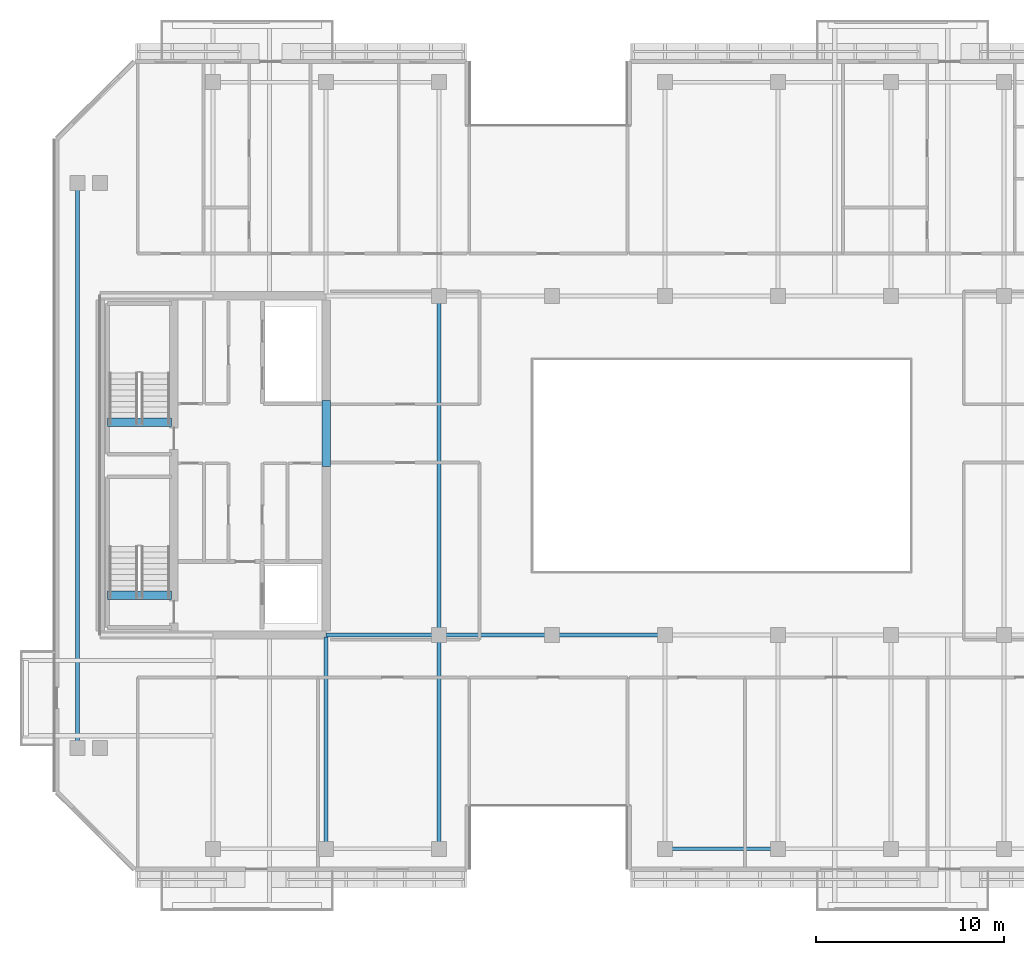
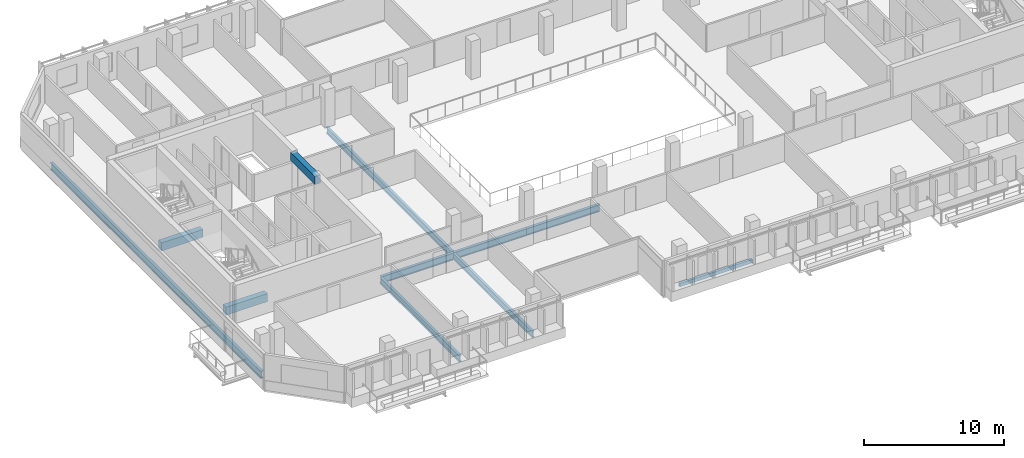
# One storey, part 3 of 22: 11 beams.
"""IFC4 building model written with IfcOpenShell, lengths in metres."""

from ifc_helpers import new_model, si_unit, direction, frame, origin, origin_2d, place, context, subcontext, project, spatial, rectangle, hollow_rectangle, i_section, extrude, material, material_profile, profile_set, type_object, element, save


model = new_model("IFC4")

# Units and contexts
model_context = context("Model", 3, precision=1e-05, world=origin(), true_north=direction((0.0, 1.0)))
body_context = subcontext(model_context, "Body", "Model", "MODEL_VIEW")
ifc_project = project(units=[si_unit("LENGTHUNIT", "METRE"), si_unit("AREAUNIT", "SQUARE_METRE"), si_unit("VOLUMEUNIT", "CUBIC_METRE"), si_unit("PLANEANGLEUNIT", "RADIAN"), si_unit("MASSUNIT", "GRAM", prefix="KILO")], contexts=[model_context])

# Site, building, storey
site_placement = place(None, origin())
site = spatial("IfcSite", under=ifc_project, at=site_placement, CompositionType="ELEMENT")
building_placement = place(site_placement, origin())
building = spatial("IfcBuilding", under=site, at=building_placement, Name="Tanjung Sevakor Pilgrim Tower", CompositionType="ELEMENT")
storey_placement = place(building_placement, frame((0.0, 0.0, 195.030029296875)))
storey = spatial("IfcBuildingStorey", under=building, at=storey_placement, Name="L54", CompositionType="ELEMENT", Elevation=195.030029296875)

# Beams
ifc_material_1 = material(Name="Steel S355J2", Category="steel")
ifc_material_profile_1 = material_profile(ifc_material_1, i_section(OverallWidth=0.22900390625, OverallDepth=0.6123046875, WebThickness=0.011962890625, FlangeThickness=0.01953125, FilletRadius=0.0126953125, at=origin_2d()))
ifc_profile_set_1 = profile_set([ifc_material_profile_1], Name="Steel S355J2")
beam_type_1 = type_object("IfcBeamType", Name="BM-B-G4-UB_610x229x125", PredefinedType="BEAM", material=ifc_profile_set_1)
beam_1_placement = place(storey_placement, frame((22.800048828125, 18.60009765625, -0.526123046875), z_axis=(0.0, 1.0, 0.0), x_axis=(-1.0, 0.0, 0.0)))
element("IfcBeam", 1, at=beam_1_placement, inside=storey, type_object=beam_type_1, Name="L54 Short-End Edge Girder W", PredefinedType="BEAM", context=body_context, shape_type="SweptSolid", body=[
    extrude(i_section(OverallWidth=0.22900390625, OverallDepth=0.6123046875, WebThickness=0.011962890625, FlangeThickness=0.01953125, FilletRadius=0.0126953125, at=origin_2d()), origin(), (0.0, 0.0, 1.0), 30.0),
])
for number, where, z_axis, x_axis, name in (
    (2, (36.0, 24.60009765625, -0.526123046875), (1.0, 0.0, 0.0), (0.0, 1.0, 0.0), "L54 Primary Floor Girder MAIN Y246-02"),
    (3, (42.0, 24.60009765625, -0.526123046875), (1.0, 0.0, 0.0), (0.0, 1.0, 0.0), "L54 Primary Floor Girder MAIN Y246-03"),
    (4, (48.0, 24.60009765625, -0.526123046875), (1.0, 0.0, 0.0), (0.0, 1.0, 0.0), "L54 Primary Floor Girder MAIN Y246-04"),
):
    element("IfcBeam", number, at=place(storey_placement, frame(where, z_axis=z_axis, x_axis=x_axis)), inside=storey, type_object=beam_type_1, Name=name, PredefinedType="BEAM", context=body_context, shape_type="SweptSolid", body=[
        extrude(i_section(OverallWidth=0.22900390625, OverallDepth=0.6123046875, WebThickness=0.011962890625, FlangeThickness=0.01953125, FilletRadius=0.0126953125, at=origin_2d()), origin(), (0.0, 0.0, 1.0), 6.0),
    ])
ifc_material_2 = material(Name="Steel S355J2", Category="steel")
ifc_material_profile_2 = material_profile(ifc_material_2, i_section(OverallWidth=0.2119140625, OverallDepth=0.54443359375, WebThickness=0.0126953125, FlangeThickness=0.021240234375, FilletRadius=0.0126953125, at=origin_2d()))
ifc_profile_set_2 = profile_set([ifc_material_profile_2], Name="Steel S355J2")
beam_type_2 = type_object("IfcBeamType", Name="BM-B-G5-UB_533x210x122", PredefinedType="BEAM", material=ifc_profile_set_2)
beam_2_placement = place(storey_placement, frame((36.0, 13.25, -0.492431640625), z_axis=(0.0, 1.0, 0.0), x_axis=(-1.0, 0.0, 0.0)))
element("IfcBeam", 5, at=beam_2_placement, inside=storey, type_object=beam_type_2, Name="L54 MAIN Girder 001", PredefinedType="BEAM", context=body_context, shape_type="SweptSolid", body=[
    extrude(i_section(OverallWidth=0.2119140625, OverallDepth=0.54443359375, WebThickness=0.0126953125, FlangeThickness=0.021240234375, FilletRadius=0.0126953125, at=origin_2d()), origin(), (0.0, 0.0, 1.0), 11.235595703125),
])
beam_3_placement = place(storey_placement, frame((42.0, 13.25, -0.492431640625), z_axis=(0.0, 1.0, 0.0), x_axis=(-1.0, 0.0, 0.0)))
element("IfcBeam", 6, at=beam_3_placement, inside=storey, type_object=beam_type_2, Name="L54 MAIN Girder 003", PredefinedType="BEAM", context=body_context, shape_type="SweptSolid", body=[
    extrude(i_section(OverallWidth=0.2119140625, OverallDepth=0.54443359375, WebThickness=0.0126953125, FlangeThickness=0.021240234375, FilletRadius=0.0126953125, at=origin_2d()), origin(), (0.0, 0.0, 1.0), 11.35009765625),
])
beam_4_placement = place(storey_placement, frame((42.0, 24.60009765625, -0.492431640625), z_axis=(0.0, 1.0, 0.0), x_axis=(-1.0, 0.0, 0.0)))
element("IfcBeam", 7, at=beam_4_placement, inside=storey, type_object=beam_type_2, Name="L54 MAIN Girder 004", PredefinedType="BEAM", context=body_context, shape_type="SweptSolid", body=[
    extrude(i_section(OverallWidth=0.2119140625, OverallDepth=0.54443359375, WebThickness=0.0126953125, FlangeThickness=0.021240234375, FilletRadius=0.0126953125, at=origin_2d()), origin(), (0.0, 0.0, 1.0), 18.0),
])
ifc_material_3 = material(Name="Concrete C60/75", Category="concrete")
ifc_material_profile_3 = material_profile(ifc_material_3, rectangle(XDim=0.449951171875, YDim=0.699951171875, at=origin_2d()))
ifc_profile_set_3 = profile_set([ifc_material_profile_3], Name="Concrete C60/75")
beam_type_3 = type_object("IfcBeamType", Name="BM-B-LN3-RC-BM_450x700", PredefinedType="LINTEL", material=ifc_profile_set_3)
beam_5_placement = place(storey_placement, frame((36.0, 33.550048828125, 2.72998046875), z_axis=(0.0, 1.0, 0.0), x_axis=(-1.0, 0.0, 0.0)))
element("IfcBeam", 8, at=beam_5_placement, inside=storey, type_object=beam_type_3, Name="L54 W Core Coupling Lintel", PredefinedType="LINTEL", context=body_context, shape_type="SweptSolid", body=[
    extrude(rectangle(XDim=0.449951171875, YDim=0.699951171875, at=origin_2d()), origin(), (0.0, 0.0, 1.0), 3.5),
])
for number, where, z_axis, x_axis, name in (
    (9, (24.39990234375, 26.699951171875, -0.35009765625), (1.0, 0.0, 0.0), (0.0, 1.0, 0.0), "L54 TS-W1 Stair Threshold Beam"),
    (10, (24.39990234375, 35.89990234375, -0.35009765625), (1.0, 0.0, 0.0), (0.0, 1.0, 0.0), "L54 TS-W2 Stair Threshold Beam"),
):
    element("IfcBeam", number, at=place(storey_placement, frame(where, z_axis=z_axis, x_axis=x_axis)), inside=storey, type_object=beam_type_3, Name=name, PredefinedType="LINTEL", context=body_context, shape_type="SweptSolid", body=[
        extrude(rectangle(XDim=0.449951171875, YDim=0.699951171875, at=origin_2d()), origin(), (0.0, 0.0, 1.0), 3.400146484375),
    ])
ifc_material_4 = material(Name="Steel S355J2", Category="steel")
ifc_material_profile_4 = material_profile(ifc_material_4, hollow_rectangle(XDim=0.199951171875, YDim=0.300048828125, WallThickness=0.012451171875, at=origin_2d()))
ifc_profile_set_4 = profile_set([ifc_material_profile_4], Name="Steel S355J2")
beam_type_4 = type_object("IfcBeamType", Name="BM-B-SP3-RHS_300x200x12.5", PredefinedType="SPANDREL", material=ifc_profile_set_4)
beam_6_placement = place(storey_placement, frame((54.0, 13.25, -0.3701171875), z_axis=(1.0, 0.0, 0.0), x_axis=(0.0, 1.0, 0.0)))
element("IfcBeam", 11, at=beam_6_placement, inside=storey, type_object=beam_type_4, Name="L54 Spandrel MAIN S-05", PredefinedType="SPANDREL", context=body_context, shape_type="SweptSolid", body=[
    extrude(hollow_rectangle(XDim=0.199951171875, YDim=0.300048828125, WallThickness=0.012451171875, at=origin_2d()), origin(), (0.0, 0.0, 1.0), 6.0),
])

save(model, "model.ifc")
